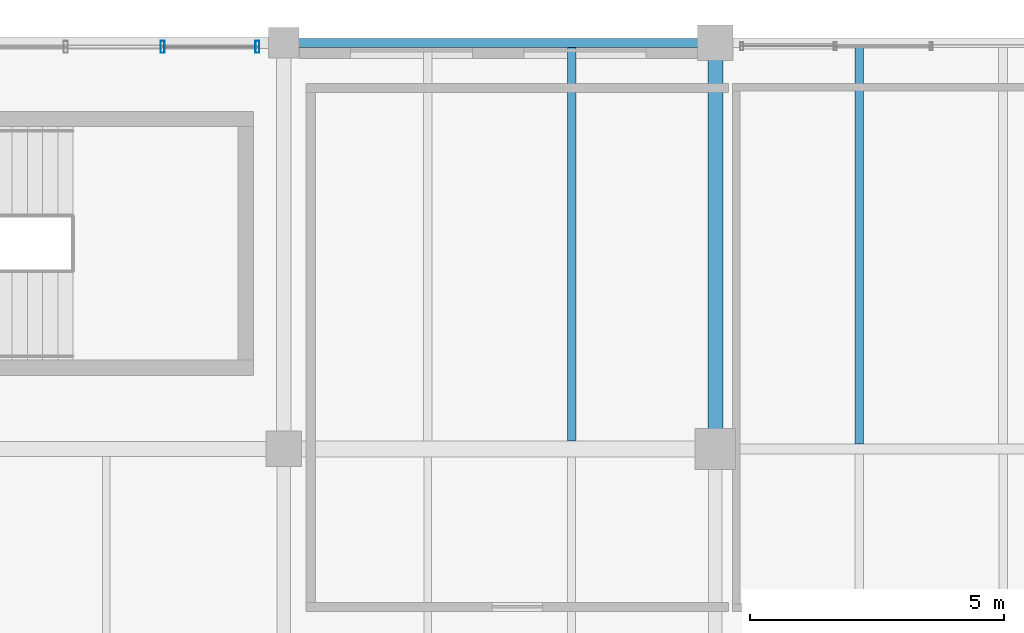
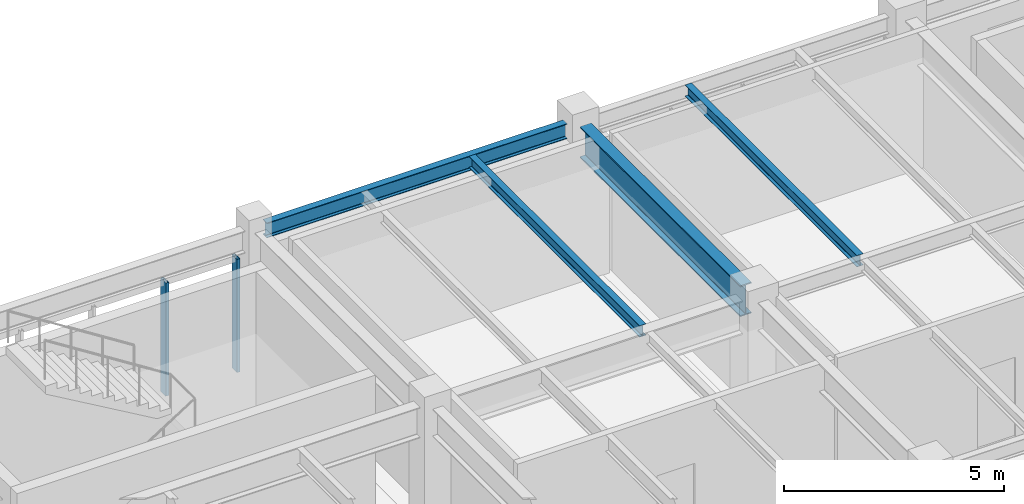
# One storey, part 35 of 56: 4 beams, 2 members, 1 element without a shape of its own.
"""IFC4 building model written with IfcOpenShell, lengths in metres."""

from ifc_helpers import new_model, si_unit, direction, frame, origin, origin_2d, place, context, subcontext, project, spatial, hollow_rectangle, i_section, extrude, material, material_profile, profile_set, type_object, element, aggregate, save


model = new_model("IFC4")

# Units and contexts
model_context = context("Model", 3, precision=1e-05, world=origin(), true_north=direction((0.0, 1.0)))
body_context = subcontext(model_context, "Body", "Model", "MODEL_VIEW")
ifc_project = project(units=[si_unit("LENGTHUNIT", "METRE"), si_unit("AREAUNIT", "SQUARE_METRE"), si_unit("VOLUMEUNIT", "CUBIC_METRE"), si_unit("PLANEANGLEUNIT", "RADIAN"), si_unit("MASSUNIT", "GRAM", prefix="KILO"), si_unit("THERMODYNAMICTEMPERATUREUNIT", "KELVIN"), si_unit("POWERUNIT", "WATT")], contexts=[model_context])

# Site, building, storey
site_placement = place(None, origin())
site = spatial("IfcSite", under=ifc_project, at=site_placement, CompositionType="ELEMENT")
building_placement = place(site_placement, origin())
building = spatial("IfcBuilding", under=site, at=building_placement, Name="Tepalcoro Natatorium and Aquatics Centre", CompositionType="ELEMENT")
storey_placement = place(building_placement, frame((0.0, 0.0, 14.800048828125)))
storey = spatial("IfcBuildingStorey", under=building, at=storey_placement, Name="L03", CompositionType="ELEMENT", Elevation=14.800048828125)

# Beam
ifc_material_1 = material(Name="Steel ASTM A992 Grade 50 (Fy 345 MPa)", Category="steel")
ifc_material_profile_1 = material_profile(ifc_material_1, i_section(OverallWidth=0.2919921875, OverallDepth=0.85888671875, WebThickness=0.01708984375, FlangeThickness=0.031005859375, FilletRadius=0.013916015625, at=origin_2d()), Name="W33X169")
ifc_profile_set_1 = profile_set([ifc_material_profile_1], Name="Steel ASTM A992 Grade 50 (Fy 345 MPa)")
beam_type_1 = type_object("IfcBeamType", Name="BM_W33x169", PredefinedType="BEAM", material=ifc_profile_set_1)
beam_1_placement = place(storey_placement, frame((150.5, 110.385009765625, 3.37548828125), z_axis=(0.0, 1.0, 0.0), x_axis=(-1.0, 0.0, 0.0)))
element("IfcBeam", 1, at=beam_1_placement, inside=storey, type_object=beam_type_1, Name="V5 L03 Grid Girder Y", PredefinedType="BEAM", context=body_context, shape_type="SweptSolid", body=[
    extrude(i_section(OverallWidth=0.2919921875, OverallDepth=0.85888671875, WebThickness=0.01708984375, FlangeThickness=0.031005859375, FilletRadius=0.013916015625, at=origin_2d()), origin(), (0.0, 0.0, 1.0), 7.280029296875),
])

# Curtain wall, members
ifc_material_2 = material(Name="Bronze-Anodised Extruded Aluminium Alloy EN AW-6063 T6", Category="aluminium")
curtain_wall_type = type_object("IfcCurtainWallType", Name="CW_LEAN_T2_EW", PredefinedType="USERDEFINED", material=ifc_material_2)
curtain_wall_placement = place(storey_placement, origin())
curtain_wall = element("IfcCurtainWall", 2, at=curtain_wall_placement, inside=storey, type_object=curtain_wall_type, Name="V5 L03 N Unitised Curtain Wall Bay 4", ObjectType="FACETED SOLAR GLAZING", PredefinedType="USERDEFINED")
ifc_material_profile_2 = material_profile(ifc_material_2, hollow_rectangle(XDim=0.080078125, YDim=0.239990234375, WallThickness=0.0048828125, at=origin_2d()), Name="AL80X240X5")
ifc_profile_set_2 = profile_set([ifc_material_profile_2], Name="Bronze-Anodised Extruded Aluminium Alloy EN AW-6063 T6")
member_type = type_object("IfcMemberType", Name="CW_MUL_80x240", PredefinedType="MULLION", material=ifc_profile_set_2)
member_1_placement = place(storey_placement, frame((139.612060546875, 117.919921875, 0.02001953125), z_axis=(0.0, 0.0, 1.0), x_axis=(1.0, 0.0, 0.0)))
member_1 = element("IfcMember", 3, at=member_1_placement, type_object=member_type, Name="CW_LEAN_T2_EW Curtain Wall Mullion", PredefinedType="MULLION", context=body_context, shape_type="SweptSolid", body=[
    extrude(hollow_rectangle(XDim=0.080078125, YDim=0.239990234375, WallThickness=0.0048828125, at=origin_2d()), origin(), (0.0, 0.0, 1.0), 3.137939453125),
])
member_2_placement = place(storey_placement, frame((141.47998046875, 117.919921875, 0.02001953125), z_axis=(0.0, 0.0, 1.0), x_axis=(1.0, 0.0, 0.0)))
member_2 = element("IfcMember", 4, at=member_2_placement, type_object=member_type, Name="CW_LEAN_T2_EW Curtain Wall Mullion", PredefinedType="MULLION", context=body_context, shape_type="SweptSolid", body=[
    extrude(hollow_rectangle(XDim=0.080078125, YDim=0.239990234375, WallThickness=0.0048828125, at=origin_2d()), origin(), (0.0, 0.0, 1.0), 3.137939453125),
])
aggregate(curtain_wall, [member_1, member_2])

# Beams
ifc_material_profile_3 = material_profile(ifc_material_1, i_section(OverallWidth=0.1669921875, OverallDepth=0.318115234375, WebThickness=0.008056640625, FlangeThickness=0.012939453125, FilletRadius=0.013916015625, at=origin_2d()), Name="W12X35")
ifc_profile_set_3 = profile_set([ifc_material_profile_3], Name="Steel ASTM A992 Grade 50 (Fy 345 MPa)")
beam_type_2 = type_object("IfcBeamType", Name="JS_W12x35", PredefinedType="JOIST", material=ifc_profile_set_3)
beam_2_placement = place(storey_placement, frame((147.666748046875, 110.155029296875, 3.64599609375), z_axis=(0.0, 1.0, 0.0), x_axis=(-1.0, 0.0, 0.0)))
element("IfcBeam", 5, at=beam_2_placement, inside=storey, type_object=beam_type_2, Name="V5 L03 Floor Joist", PredefinedType="JOIST", context=body_context, shape_type="SweptSolid", body=[
    extrude(i_section(OverallWidth=0.1669921875, OverallDepth=0.318115234375, WebThickness=0.008056640625, FlangeThickness=0.012939453125, FilletRadius=0.013916015625, at=origin_2d()), origin(), (0.0, 0.0, 1.0), 7.7548828125),
])
beam_3_placement = place(storey_placement, frame((153.333251953125, 110.095458984375, 3.64599609375), z_axis=(0.0, 1.0, 0.0), x_axis=(-1.0, 0.0, 0.0)))
element("IfcBeam", 6, at=beam_3_placement, inside=storey, type_object=beam_type_2, Name="V5 L03 Floor Joist", PredefinedType="JOIST", context=body_context, shape_type="SweptSolid", body=[
    extrude(i_section(OverallWidth=0.1669921875, OverallDepth=0.318115234375, WebThickness=0.008056640625, FlangeThickness=0.012939453125, FilletRadius=0.013916015625, at=origin_2d()), origin(), (0.0, 0.0, 1.0), 7.80908203125),
])
ifc_material_profile_4 = material_profile(ifc_material_1, i_section(OverallWidth=0.179931640625, OverallDepth=0.4130859375, WebThickness=0.010009765625, FlangeThickness=0.01611328125, FilletRadius=0.013916015625, at=origin_2d()), Name="W16X50")
ifc_profile_set_4 = profile_set([ifc_material_profile_4], Name="Steel ASTM A992 Grade 50 (Fy 345 MPa)")
beam_type_3 = type_object("IfcBeamType", Name="SP_HSS300x200x12", PredefinedType="SPANDREL", material=ifc_profile_set_4)
beam_4_placement = place(storey_placement, frame((142.284912109375, 118.0, 3.598388671875), z_axis=(1.0, 0.0, 0.0), x_axis=(0.0, 1.0, 0.0)))
element("IfcBeam", 7, at=beam_4_placement, inside=storey, type_object=beam_type_3, Name="V5 L03 Grid Girder X", PredefinedType="SPANDREL", context=body_context, shape_type="SweptSolid", body=[
    extrude(i_section(OverallWidth=0.179931640625, OverallDepth=0.4130859375, WebThickness=0.010009765625, FlangeThickness=0.01611328125, FilletRadius=0.013916015625, at=origin_2d()), origin(), (0.0, 0.0, 1.0), 7.880126953125),
])

save(model, "model.ifc")
